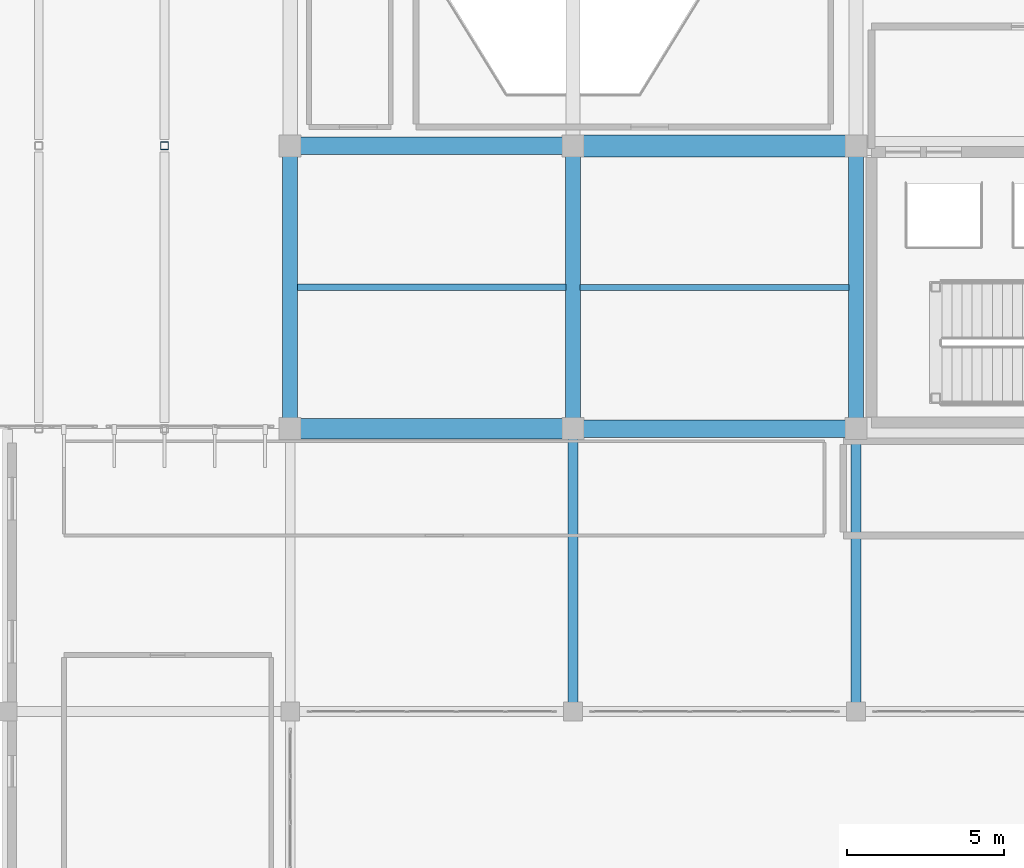
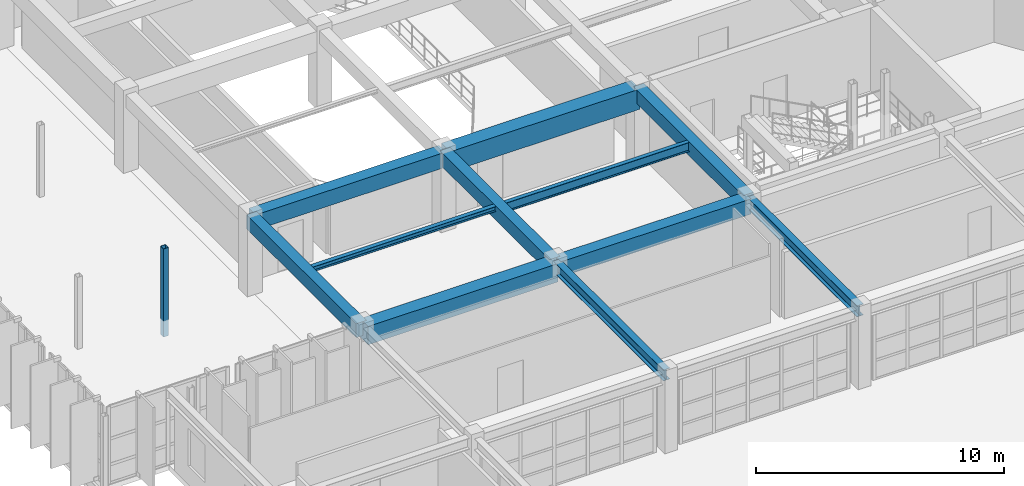
# One storey, part 28 of 110: 11 beams, 1 member.
"""IFC4 building model written with IfcOpenShell, lengths in metres."""

from ifc_helpers import new_model, si_unit, direction, frame, origin, origin_2d, place, context, subcontext, project, spatial, rectangle, hollow_rectangle, i_section, extrude, material, material_profile, profile_set, type_object, element, save


model = new_model("IFC4")

# Units and contexts
model_context = context("Model", 3, precision=1e-05, world=origin(), true_north=direction((0.0, 1.0)))
body_context = subcontext(model_context, "Body", "Model", "MODEL_VIEW")
ifc_project = project(units=[si_unit("LENGTHUNIT", "METRE"), si_unit("AREAUNIT", "SQUARE_METRE"), si_unit("VOLUMEUNIT", "CUBIC_METRE"), si_unit("PLANEANGLEUNIT", "RADIAN"), si_unit("MASSUNIT", "GRAM", prefix="KILO")], contexts=[model_context])

# Site, building, storey
site_placement = place(None, origin())
site = spatial("IfcSite", under=ifc_project, at=site_placement, CompositionType="ELEMENT")
building_placement = place(site_placement, origin())
building = spatial("IfcBuilding", under=site, at=building_placement, Name="Miravela Opera House", CompositionType="ELEMENT")
storey_placement = place(building_placement, frame((0.0, 0.0, 13.60009765625)))
storey = spatial("IfcBuildingStorey", under=building, at=storey_placement, Name="L03", CompositionType="ELEMENT", Elevation=13.60009765625)

# Beams
ifc_material_1 = material(Name="Concrete C35/45", Category="concrete")
ifc_material_profile_1 = material_profile(ifc_material_1, rectangle(XDim=0.47998046875, YDim=0.679931640625, at=origin_2d()), Name="RC-BM-480X680")
ifc_profile_set_1 = profile_set([ifc_material_profile_1])
beam_type_1 = type_object("IfcBeamType", Name="STR-BM-RC480X680", PredefinedType="BEAM", material=ifc_profile_set_1)
for number, where, z_axis, x_axis, name in (
    (1, (27.0, 37.080078125, 3.5), (0.0, 1.0, 0.0), (-1.0, 0.0, 0.0), "Floor Girder L03 4/E-F"),
    (2, (36.0, 37.080078125, 3.5), (0.0, 1.0, 0.0), (-1.0, 0.0, 0.0), "Floor Girder L03 5/E-F"),
    (3, (45.0, 37.080078125, 3.5), (0.0, 1.0, 0.0), (-1.0, 0.0, 0.0), "Floor Girder L03 6/E-F"),
):
    element("IfcBeam", number, at=place(storey_placement, frame(where, z_axis=z_axis, x_axis=x_axis)), inside=storey, type_object=beam_type_1, Name=name, PredefinedType="BEAM", context=body_context, shape_type="SweptSolid", body=[
        extrude(rectangle(XDim=0.47998046875, YDim=0.679931640625, at=origin_2d()), origin(), (0.0, 0.0, 1.0), 8.83984375),
    ])
ifc_material_profile_2 = material_profile(ifc_material_1, rectangle(XDim=0.550048828125, YDim=0.75, at=origin_2d()), Name="RC-BM-550X750")
ifc_profile_set_2 = profile_set([ifc_material_profile_2])
beam_type_2 = type_object("IfcBeamType", Name="STR-BM-RC550X750", PredefinedType="BEAM", material=ifc_profile_set_2)
for number, where, z_axis, x_axis, name in (
    (4, (27.080078125, 46.0, 3.46484375), (1.0, 0.0, 0.0), (0.0, 1.0, 0.0), "Floor Girder L03 4-5/F"),
    (5, (36.080078125, 37.0, 3.46484375), (1.0, 0.0, 0.0), (0.0, 1.0, 0.0), "Floor Girder L03 5-6/E"),
):
    element("IfcBeam", number, at=place(storey_placement, frame(where, z_axis=z_axis, x_axis=x_axis)), inside=storey, type_object=beam_type_2, Name=name, PredefinedType="BEAM", context=body_context, shape_type="SweptSolid", body=[
        extrude(rectangle(XDim=0.550048828125, YDim=0.75, at=origin_2d()), origin(), (0.0, 0.0, 1.0), 8.83984375),
    ])
ifc_material_2 = material(Name="Concrete C40/50", Category="concrete")
ifc_material_profile_3 = material_profile(ifc_material_2, rectangle(XDim=0.64990234375, YDim=0.89990234375, at=origin_2d()), Name="RC-BM-650X900")
ifc_profile_set_3 = profile_set([ifc_material_profile_3])
beam_type_3 = type_object("IfcBeamType", Name="STR-BM-RC650X900", PredefinedType="BEAM", material=ifc_profile_set_3)
beam_1_placement = place(storey_placement, frame((27.080078125, 37.0, 3.389892578125), z_axis=(1.0, 0.0, 0.0), x_axis=(0.0, 1.0, 0.0)))
element("IfcBeam", 6, at=beam_1_placement, inside=storey, type_object=beam_type_3, Name="Floor Girder L03 4-5/E", PredefinedType="BEAM", context=body_context, shape_type="SweptSolid", body=[
    extrude(rectangle(XDim=0.64990234375, YDim=0.89990234375, at=origin_2d()), origin(), (0.0, 0.0, 1.0), 8.83984375),
])
ifc_material_profile_4 = material_profile(ifc_material_2, rectangle(XDim=0.699951171875, YDim=1.0, at=origin_2d()), Name="RC-BM-700X1000")
ifc_profile_set_4 = profile_set([ifc_material_profile_4])
beam_type_4 = type_object("IfcBeamType", Name="STR-BM-RC700X1000", PredefinedType="BEAM", material=ifc_profile_set_4)
beam_2_placement = place(storey_placement, frame((36.080078125, 46.0, 3.33984375), z_axis=(1.0, 0.0, 0.0), x_axis=(0.0, 1.0, 0.0)))
element("IfcBeam", 7, at=beam_2_placement, inside=storey, type_object=beam_type_4, Name="Floor Girder L03 5-6/F", PredefinedType="BEAM", context=body_context, shape_type="SweptSolid", body=[
    extrude(rectangle(XDim=0.699951171875, YDim=1.0, at=origin_2d()), origin(), (0.0, 0.0, 1.0), 8.83984375),
])
ifc_material_3 = material(Name="Structural steel ASTM A992 Gr. 50", Category="steel")
ifc_material_profile_5 = material_profile(ifc_material_3, i_section(OverallWidth=0.201904296875, OverallDepth=0.2470703125, WebThickness=0.00732421875, FlangeThickness=0.010986328125, FilletRadius=0.011962890625, at=origin_2d()), Name="W250X49")
ifc_profile_set_5 = profile_set([ifc_material_profile_5])
beam_type_5 = type_object("IfcBeamType", Name="STR-BM-W250X49", PredefinedType="LINTEL", material=ifc_profile_set_5)
beam_3_placement = place(storey_placement, frame((27.22509765625, 41.5, 3.71630859375), z_axis=(1.0, 0.0, 0.0), x_axis=(0.0, 1.0, 0.0)))
element("IfcBeam", 8, at=beam_3_placement, inside=storey, type_object=beam_type_5, Name="Secondary Floor Joist L03 4-5/E-F", PredefinedType="LINTEL", context=body_context, shape_type="SweptSolid", body=[
    extrude(i_section(OverallWidth=0.201904296875, OverallDepth=0.2470703125, WebThickness=0.00732421875, FlangeThickness=0.010986328125, FilletRadius=0.011962890625, at=origin_2d()), origin(), (0.0, 0.0, 1.0), 8.5498046875),
])
ifc_material_profile_6 = material_profile(ifc_material_3, i_section(OverallWidth=0.19091796875, OverallDepth=0.4599609375, WebThickness=0.010009765625, FlangeThickness=0.01611328125, FilletRadius=0.014892578125, at=origin_2d()), Name="W460X82")
ifc_profile_set_6 = profile_set([ifc_material_profile_6])
beam_type_6 = type_object("IfcBeamType", Name="STR-BM-W460X82", PredefinedType="JOIST", material=ifc_profile_set_6)
beam_4_placement = place(storey_placement, frame((36.22509765625, 41.5, 3.60986328125), z_axis=(1.0, 0.0, 0.0), x_axis=(0.0, 1.0, 0.0)))
element("IfcBeam", 9, at=beam_4_placement, inside=storey, type_object=beam_type_6, Name="Secondary Floor Joist L03 5-6/E-F", PredefinedType="JOIST", context=body_context, shape_type="SweptSolid", body=[
    extrude(i_section(OverallWidth=0.19091796875, OverallDepth=0.4599609375, WebThickness=0.010009765625, FlangeThickness=0.01611328125, FilletRadius=0.014892578125, at=origin_2d()), origin(), (0.0, 0.0, 1.0), 8.5498046875),
])
ifc_material_profile_7 = material_profile(ifc_material_3, i_section(OverallWidth=0.31201171875, OverallDepth=0.54296875, WebThickness=0.0126953125, FlangeThickness=0.020263671875, FilletRadius=0.01611328125, at=origin_2d()), Name="W530X150")
ifc_profile_set_7 = profile_set([ifc_material_profile_7])
beam_type_7 = type_object("IfcBeamType", Name="STR-BM-W530X150", PredefinedType="BEAM", material=ifc_profile_set_7)
for number, where, z_axis, x_axis, name in (
    (10, (36.0, 28.080078125, 3.568359375), (0.0, 1.0, 0.0), (-1.0, 0.0, 0.0), "Roof King-Post Transverse Tie Girder ROOF-V4-WEST-N T2.1"),
    (11, (45.0, 28.080078125, 3.568359375), (0.0, 1.0, 0.0), (-1.0, 0.0, 0.0), "Roof King-Post Transverse Tie Girder ROOF-V4-WEST-N T3.1"),
):
    element("IfcBeam", number, at=place(storey_placement, frame(where, z_axis=z_axis, x_axis=x_axis)), inside=storey, type_object=beam_type_7, Name=name, PredefinedType="BEAM", context=body_context, shape_type="SweptSolid", body=[
        extrude(i_section(OverallWidth=0.31201171875, OverallDepth=0.54296875, WebThickness=0.0126953125, FlangeThickness=0.020263671875, FilletRadius=0.01611328125, at=origin_2d()), origin(), (0.0, 0.0, 1.0), 8.83984375),
    ])

# Member
ifc_material_4 = material(Name="Hollow structural steel ASTM A500 Gr. C", Category="steel")
ifc_material_profile_8 = material_profile(ifc_material_4, hollow_rectangle(XDim=0.25, YDim=0.25, WallThickness=0.011962890625, InnerFilletRadius=0.011962890625, OuterFilletRadius=0.02392578125, at=origin_2d()), Name="HSS250X250X12")
ifc_profile_set_8 = profile_set([ifc_material_profile_8])
member_type = type_object("IfcMemberType", Name="STR-MEM-CANT-POST2", PredefinedType="POST", material=ifc_profile_set_8)
member_placement = place(storey_placement, frame((23.0, 46.0, -0.793212890625), z_axis=(0.0, 0.0, 1.0), x_axis=(1.0, 0.0, 0.0)))
element("IfcMember", 12, at=member_placement, inside=storey, type_object=member_type, Name="Upper Wrapper Truss Post L03 X=23.0", PredefinedType="POST", context=body_context, shape_type="SweptSolid", body=[
    extrude(hollow_rectangle(XDim=0.25, YDim=0.25, WallThickness=0.011962890625, InnerFilletRadius=0.011962890625, OuterFilletRadius=0.02392578125, at=origin_2d()), origin(), (0.0, 0.0, 1.0), 4.3330078125),
])

save(model, "model.ifc")
